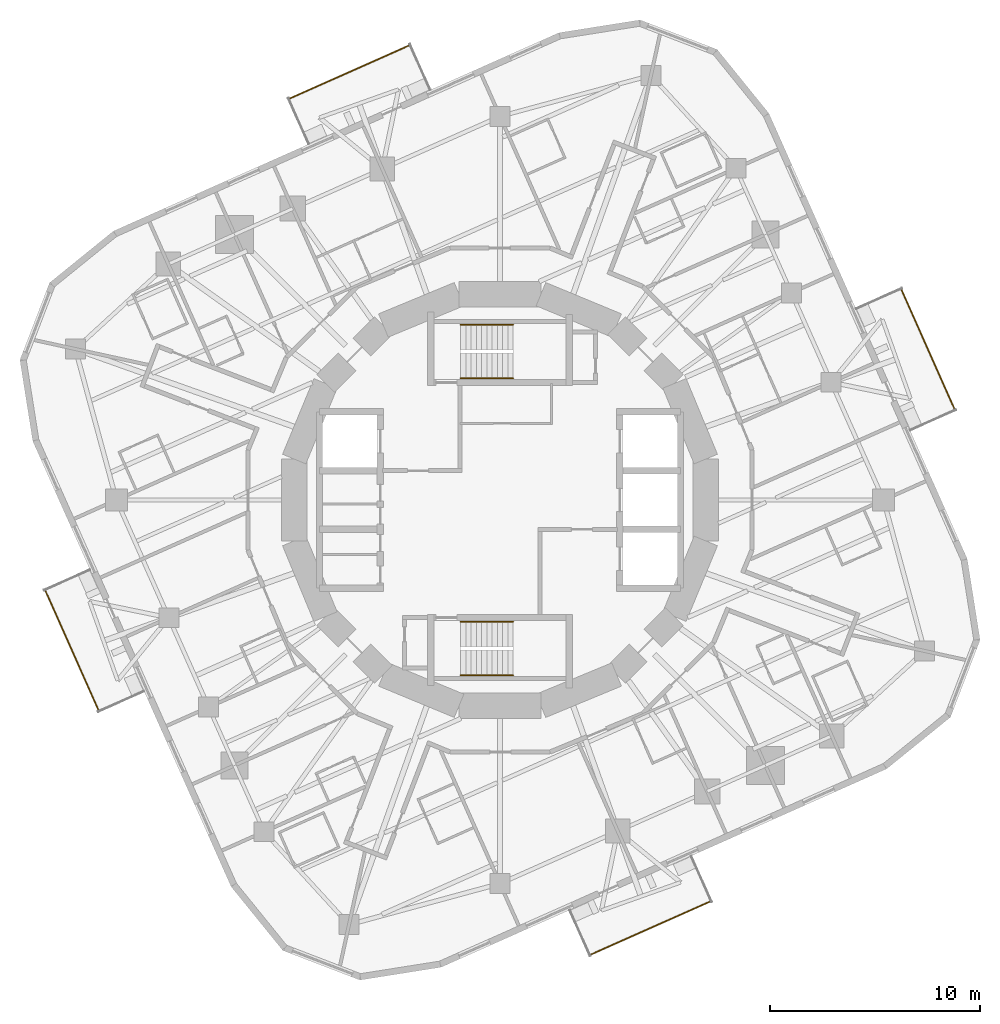
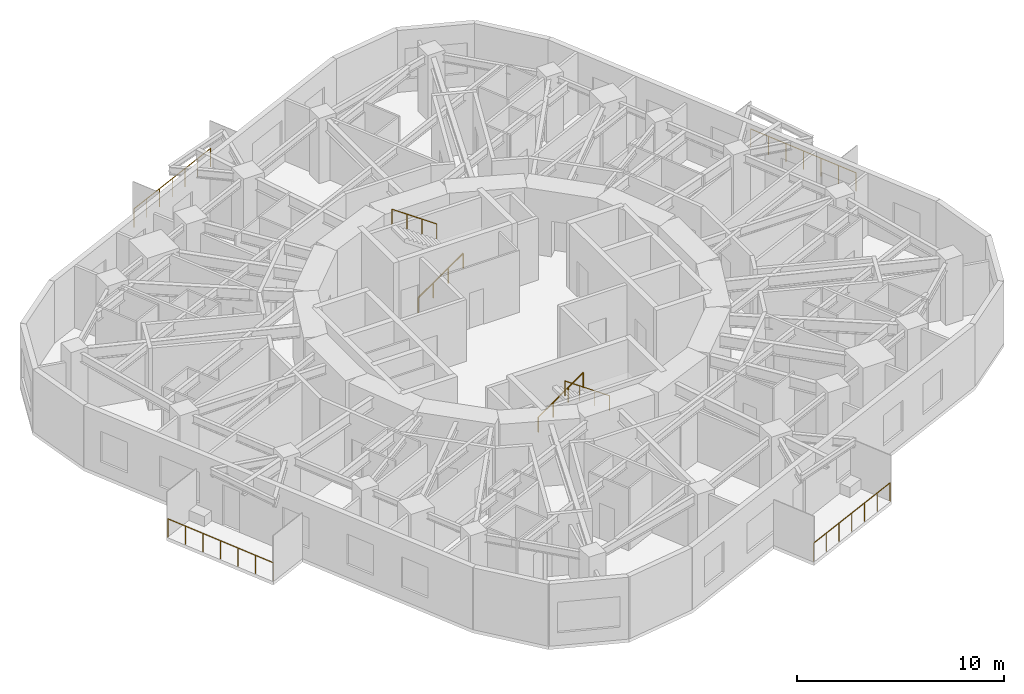
# One storey, part 11 of 12: 8 railings.
"""IFC4 building model written with IfcOpenShell, lengths in metres."""

import ifcopenshell
import ifcopenshell.guid

model = None  # the IFC model being written
_history = None  # IfcOwnerHistory: only IFC2X3 demands one
_inside = {}  # id of a spatial element -> (the spatial element, [elements in it])
_under = {}  # id of a project, library or spatial element -> (it, [spatial elements below it])
_declared = {}  # id of a project -> (the project, [libraries it declares])
_typed = {}  # id of a type object -> (the type object, [elements of that type])
_made_of = {}  # id of a material, layer set ... -> (it, [elements and type objects made of it])


def new_model(schema):
    """Start an empty IFC model of exactly this schema.

    Asked for "IFC4X3", IfcOpenShell would pick the latest addendum, in which some entities
    have other attributes; the version numbers below select the first issue.
    IFC2X3 requires an IfcOwnerHistory on every rooted entity: one is made here for all.
    """
    global model, _history
    if schema == "IFC4X3":
        model = ifcopenshell.file(schema_version=(4, 3, 0, 0))
    else:
        model = ifcopenshell.file(schema=schema)
    _inside.clear()
    _under.clear()
    _declared.clear()
    _typed.clear()
    _made_of.clear()
    _history = None
    if model.schema == "IFC2X3":
        org = make("IfcOrganization", Name="unknown")
        user = make(
            "IfcPersonAndOrganization",
            ThePerson=make("IfcPerson", FamilyName="unknown"),
            TheOrganization=org,
        )
        app = make(
            "IfcApplication",
            ApplicationDeveloper=org,
            Version="unknown",
            ApplicationFullName="unknown",
            ApplicationIdentifier="unknown",
        )
        _history = make(
            "IfcOwnerHistory",
            OwningUser=user,
            OwningApplication=app,
            ChangeAction="ADDED",
            CreationDate=0,
        )
    return model


def make(cls, **values):
    """One entity of the class cls with the attributes given. An attribute that is None is left unset."""
    return model.create_entity(
        cls, **{name: value for name, value in values.items() if value is not None}
    )


def rooted(cls, **values):
    """An entity with a GlobalId (a new one), such as an element, a storey or a relation."""
    return make(cls, GlobalId=ifcopenshell.guid.new(), OwnerHistory=_history, **values)


def si_unit(unit_type, name, prefix=None):
    """IfcSIUnit, for example si_unit("LENGTHUNIT", "METRE", prefix="MILLI")."""
    return make("IfcSIUnit", UnitType=unit_type, Prefix=prefix, Name=name)


def assignment(units):
    """IfcUnitAssignment: the units of a project."""
    return None if units is None else make("IfcUnitAssignment", Units=units)


def point(xyz):
    """IfcCartesianPoint."""
    return None if xyz is None else make("IfcCartesianPoint", Coordinates=xyz)


def direction(xyz):
    """IfcDirection."""
    return None if xyz is None else make("IfcDirection", DirectionRatios=xyz)


def frame(location, z_axis=None, x_axis=None):
    """IfcAxis2Placement3D, a coordinate frame: its origin and axes. An axis left out is left unset."""
    return make(
        "IfcAxis2Placement3D",
        Location=point(location),
        Axis=direction(z_axis),
        RefDirection=direction(x_axis),
    )


def frame_2d(location, x_axis=None):
    """IfcAxis2Placement2D, a coordinate frame in the plane: its origin and x axis."""
    return make(
        "IfcAxis2Placement2D", Location=point(location), RefDirection=direction(x_axis)
    )


def origin():
    """The frame at (0, 0, 0) with its axes left unset."""
    return frame((0.0, 0.0, 0.0))


def origin_2d():
    """The frame at (0, 0) in the plane with its x axis left unset."""
    return frame_2d((0.0, 0.0))


def place(relative_to, where):
    """IfcLocalPlacement: puts the frame where relative to a parent placement (None: the world)."""
    return make(
        "IfcLocalPlacement", PlacementRelTo=relative_to, RelativePlacement=where
    )


def context(
    kind, dimensions, precision=None, world=None, true_north=None, identifier=None
):
    """IfcGeometricRepresentationContext, for example the 3D "Model" context."""
    return make(
        "IfcGeometricRepresentationContext",
        ContextIdentifier=identifier,
        ContextType=kind,
        CoordinateSpaceDimension=dimensions,
        Precision=precision,
        WorldCoordinateSystem=world,
        TrueNorth=true_north,
    )


def subcontext(parent, identifier, kind, view, scale=None):
    """IfcGeometricRepresentationSubContext, for example "Body" below "Model"."""
    return make(
        "IfcGeometricRepresentationSubContext",
        ContextIdentifier=identifier,
        ContextType=kind,
        ParentContext=parent,
        TargetScale=scale,
        TargetView=view,
    )


def project(units=None, contexts=None):
    """IfcProject with its units and contexts."""
    return rooted(
        "IfcProject",
        Name="project",
        RepresentationContexts=contexts,
        UnitsInContext=assignment(units),
    )


def spatial(cls, under=None, at=None, **own):
    """A site, building, storey or space (cls), placed at a placement, below another one or the project."""
    s = rooted(cls, ObjectPlacement=at, **own)
    if under is not None:
        _under.setdefault(under.id(), (under, []))[1].append(s)
    return s


def profile(cls, at=None, kind="AREA", **sizes):
    """A parametric profile (cls). Its sizes go by their IFC names, for example OverallWidth=200.0."""
    return make(cls, ProfileType=kind, Position=at, **sizes)


def circle(**sizes):
    """IfcCircleProfileDef."""
    return profile("IfcCircleProfileDef", **sizes)


def extrude(swept, where, along, depth):
    """IfcExtrudedAreaSolid: the profile swept, set in the frame where, extruded along a direction by depth."""
    return make(
        "IfcExtrudedAreaSolid",
        SweptArea=swept,
        Position=where,
        ExtrudedDirection=direction(along),
        Depth=depth,
    )


def shape(context_of_items, identifier, shape_type, items):
    """IfcShapeRepresentation: the items that make up one representation, for example the "Body"."""
    return make(
        "IfcShapeRepresentation",
        ContextOfItems=context_of_items,
        RepresentationIdentifier=identifier,
        RepresentationType=shape_type,
        Items=items,
    )


def material(Name=None, Category=None):
    """IfcMaterial."""
    return make("IfcMaterial", Name=Name, Category=Category)


def made_of(thing, what):
    """Note that an element or type object is made of a material, layer set ...; save() writes the relation."""
    if what is not None:
        _made_of.setdefault(what.id(), (what, []))[1].append(thing)
    return thing


def type_object(cls, material=None, **own):
    """A type object (cls), such as IfcWallType, which elements share."""
    return made_of(rooted(cls, **own), material)


def element(
    cls,
    number,
    at=None,
    inside=None,
    cuts=None,
    type_object=None,
    material=None,
    context=None,
    identifier="Body",
    shape_type=None,
    held_by="IfcProductDefinitionShape",
    body=None,
    shapes=None,
    **own,
):
    """One element of the class cls, such as IfcWall. Its Tag is "e" and its number.

    at: its placement. inside: the storey or other place that contains it. cuts: it is an
    opening in that element (IfcRelVoidsElement). A single representation is given by context,
    identifier, shape_type and body (its items); several are given by shapes. held_by: the class
    of the entity that holds the representations. save() writes the other relations.
    """
    e = rooted(cls, Tag="e%d" % number, ObjectPlacement=at, **own)
    if body is not None:
        shapes = [shape(context, identifier, shape_type, body)]
    if shapes is not None:
        e.Representation = make(held_by, Representations=shapes)
    if inside is not None:
        _inside.setdefault(inside.id(), (inside, []))[1].append(e)
    if cuts is not None:
        rooted(
            "IfcRelVoidsElement", RelatingBuildingElement=cuts, RelatedOpeningElement=e
        )
    if type_object is not None:
        _typed.setdefault(type_object.id(), (type_object, []))[1].append(e)
    return made_of(e, material)


def aggregate(whole, parts):
    """IfcRelAggregates: a whole, such as a stair, and the parts it consists of."""
    return rooted("IfcRelAggregates", RelatingObject=whole, RelatedObjects=parts)


def save(model, path):
    """Write the relations noted so far, then the file.

    IfcRelAggregates (storeys below a building ...), IfcRelContainedInSpatialStructure (elements
    in a storey), IfcRelDefinesByType, IfcRelAssociatesMaterial and IfcRelDeclares: one each for
    every whole, place, type object, material and project.
    """
    for whole, parts in _under.values():
        aggregate(whole, parts)
    for where, things in _inside.values():
        rooted(
            "IfcRelContainedInSpatialStructure",
            RelatedElements=things,
            RelatingStructure=where,
        )
    for kind, things in _typed.values():
        rooted("IfcRelDefinesByType", RelatedObjects=things, RelatingType=kind)
    for what, things in _made_of.values():
        rooted("IfcRelAssociatesMaterial", RelatedObjects=things, RelatingMaterial=what)
    for by, libraries in _declared.values():
        rooted("IfcRelDeclares", RelatingContext=by, RelatedDefinitions=libraries)
    model.write(path)


model = new_model("IFC4")

# Units and contexts
model_context = context("Model", 3, precision=1e-05, world=origin(), true_north=direction((0.0, 1.0)))
body_context = subcontext(model_context, "Body", "Model", "MODEL_VIEW")
ifc_project = project(units=[si_unit("LENGTHUNIT", "METRE"), si_unit("AREAUNIT", "SQUARE_METRE"), si_unit("VOLUMEUNIT", "CUBIC_METRE"), si_unit("PLANEANGLEUNIT", "RADIAN"), si_unit("MASSUNIT", "GRAM", prefix="KILO")], contexts=[model_context])

# Site, building, storey
site_placement = place(None, origin())
site = spatial("IfcSite", under=ifc_project, at=site_placement, CompositionType="ELEMENT")
building_placement = place(site_placement, origin())
building = spatial("IfcBuilding", under=site, at=building_placement, Name="Nakasero Lantern House", CompositionType="ELEMENT")
storey_placement = place(building_placement, frame((0.0, 0.0, 197.85009765625)))
storey = spatial("IfcBuildingStorey", under=building, at=storey_placement, Name="L48", CompositionType="ELEMENT", Elevation=197.85009765625)

# Railings
ifc_material_1 = material(Name="Aluminium 6063-T6", Category="aluminium")
railing_type_1 = type_object("IfcRailingType", Name="Balcony guard 1100", PredefinedType="BALUSTRADE", material=ifc_material_1)
railing_1_placement = place(storey_placement, frame((21.67529296875, 4.29931640625, 0.0)))
element("IfcRailing", 1, at=railing_1_placement, inside=storey, type_object=railing_type_1, Name="Balcony guard L48 BAL0", PredefinedType="BALUSTRADE", context=body_context, shape_type="SweptSolid", body=[
    extrude(circle(Radius=0.02392578125, at=origin_2d()), frame((0.0, 0.0, 1.076171875), z_axis=(-0.40676486805, 0.913532890552, 0.0), x_axis=(-0.913532890552, -0.40676486805, 0.0)), (0.0, 0.0, 1.0), 6.291259765625),
    extrude(circle(Radius=0.02099609375, at=origin_2d()), origin(), (0.0, 0.0, 1.0), 1.052001953125),
    extrude(circle(Radius=0.02099609375, at=origin_2d()), frame((-0.426513671875, 0.9580078125, 0.0)), (0.0, 0.0, 1.0), 1.052001953125),
    extrude(circle(Radius=0.02099609375, at=origin_2d()), frame((-0.85302734375, 1.915771484375, 0.0)), (0.0, 0.0, 1.0), 1.052001953125),
    extrude(circle(Radius=0.02099609375, at=origin_2d()), frame((-1.279541015625, 2.87353515625, 0.0)), (0.0, 0.0, 1.0), 1.052001953125),
    extrude(circle(Radius=0.02099609375, at=origin_2d()), frame((-1.7060546875, 3.83154296875, 0.0)), (0.0, 0.0, 1.0), 1.052001953125),
    extrude(circle(Radius=0.02099609375, at=origin_2d()), frame((-2.132568359375, 4.78955078125, 0.0)), (0.0, 0.0, 1.0), 1.052001953125),
    extrude(circle(Radius=0.02099609375, at=origin_2d()), frame((-2.55908203125, 5.747314453125, 0.0)), (0.0, 0.0, 1.0), 1.052001953125),
])
railing_2_placement = place(storey_placement, frame((-4.29931640625, 21.67529296875, 0.0)))
element("IfcRailing", 2, at=railing_2_placement, inside=storey, type_object=railing_type_1, Name="Balcony guard L48 BAL1", PredefinedType="BALUSTRADE", context=body_context, shape_type="SweptSolid", body=[
    extrude(circle(Radius=0.02392578125, at=origin_2d()), frame((0.0, 0.0, 1.076171875), z_axis=(-0.913532890552, -0.40676486805, 0.0), x_axis=(0.40676486805, -0.913532890552, 0.0)), (0.0, 0.0, 1.0), 6.291259765625),
    extrude(circle(Radius=0.02099609375, at=origin_2d()), origin(), (0.0, 0.0, 1.0), 1.052001953125),
    extrude(circle(Radius=0.02099609375, at=origin_2d()), frame((-0.9580078125, -0.426513671875, 0.0)), (0.0, 0.0, 1.0), 1.052001953125),
    extrude(circle(Radius=0.02099609375, at=origin_2d()), frame((-1.915771484375, -0.85302734375, 0.0)), (0.0, 0.0, 1.0), 1.052001953125),
    extrude(circle(Radius=0.02099609375, at=origin_2d()), frame((-2.87353515625, -1.279541015625, 0.0)), (0.0, 0.0, 1.0), 1.052001953125),
    extrude(circle(Radius=0.02099609375, at=origin_2d()), frame((-3.83154296875, -1.7060546875, 0.0)), (0.0, 0.0, 1.0), 1.052001953125),
    extrude(circle(Radius=0.02099609375, at=origin_2d()), frame((-4.78955078125, -2.132568359375, 0.0)), (0.0, 0.0, 1.0), 1.052001953125),
    extrude(circle(Radius=0.02099609375, at=origin_2d()), frame((-5.747314453125, -2.55908203125, 0.0)), (0.0, 0.0, 1.0), 1.052001953125),
])
railing_3_placement = place(storey_placement, frame((-21.67529296875, -4.29931640625, 0.0)))
element("IfcRailing", 3, at=railing_3_placement, inside=storey, type_object=railing_type_1, Name="Balcony guard L48 BAL2", PredefinedType="BALUSTRADE", context=body_context, shape_type="SweptSolid", body=[
    extrude(circle(Radius=0.02392578125, at=origin_2d()), frame((0.0, 0.0, 1.076171875), z_axis=(0.40676486805, -0.913532890552, 0.0), x_axis=(0.913532890552, 0.40676486805, 0.0)), (0.0, 0.0, 1.0), 6.291259765625),
    extrude(circle(Radius=0.02099609375, at=origin_2d()), origin(), (0.0, 0.0, 1.0), 1.052001953125),
    extrude(circle(Radius=0.02099609375, at=origin_2d()), frame((0.426513671875, -0.9580078125, 0.0)), (0.0, 0.0, 1.0), 1.052001953125),
    extrude(circle(Radius=0.02099609375, at=origin_2d()), frame((0.85302734375, -1.915771484375, 0.0)), (0.0, 0.0, 1.0), 1.052001953125),
    extrude(circle(Radius=0.02099609375, at=origin_2d()), frame((1.279541015625, -2.87353515625, 0.0)), (0.0, 0.0, 1.0), 1.052001953125),
    extrude(circle(Radius=0.02099609375, at=origin_2d()), frame((1.7060546875, -3.83154296875, 0.0)), (0.0, 0.0, 1.0), 1.052001953125),
    extrude(circle(Radius=0.02099609375, at=origin_2d()), frame((2.132568359375, -4.78955078125, 0.0)), (0.0, 0.0, 1.0), 1.052001953125),
    extrude(circle(Radius=0.02099609375, at=origin_2d()), frame((2.55908203125, -5.747314453125, 0.0)), (0.0, 0.0, 1.0), 1.052001953125),
])
railing_4_placement = place(storey_placement, frame((4.29931640625, -21.67529296875, 0.0)))
element("IfcRailing", 4, at=railing_4_placement, inside=storey, type_object=railing_type_1, Name="Balcony guard L48 BAL3", PredefinedType="BALUSTRADE", context=body_context, shape_type="SweptSolid", body=[
    extrude(circle(Radius=0.02392578125, at=origin_2d()), frame((0.0, 0.0, 1.076171875), z_axis=(0.913532890552, 0.40676486805, 0.0), x_axis=(-0.40676486805, 0.913532890552, 0.0)), (0.0, 0.0, 1.0), 6.291259765625),
    extrude(circle(Radius=0.02099609375, at=origin_2d()), origin(), (0.0, 0.0, 1.0), 1.052001953125),
    extrude(circle(Radius=0.02099609375, at=origin_2d()), frame((0.9580078125, 0.426513671875, 0.0)), (0.0, 0.0, 1.0), 1.052001953125),
    extrude(circle(Radius=0.02099609375, at=origin_2d()), frame((1.915771484375, 0.85302734375, 0.0)), (0.0, 0.0, 1.0), 1.052001953125),
    extrude(circle(Radius=0.02099609375, at=origin_2d()), frame((2.87353515625, 1.279541015625, 0.0)), (0.0, 0.0, 1.0), 1.052001953125),
    extrude(circle(Radius=0.02099609375, at=origin_2d()), frame((3.83154296875, 1.7060546875, 0.0)), (0.0, 0.0, 1.0), 1.052001953125),
    extrude(circle(Radius=0.02099609375, at=origin_2d()), frame((4.78955078125, 2.132568359375, 0.0)), (0.0, 0.0, 1.0), 1.052001953125),
    extrude(circle(Radius=0.02099609375, at=origin_2d()), frame((5.747314453125, 2.55908203125, 0.0)), (0.0, 0.0, 1.0), 1.052001953125),
])
ifc_material_2 = material(Name="Stainless steel 316", Category="steel")
railing_type_2 = type_object("IfcRailingType", Name="Stair handrail 900", PredefinedType="HANDRAIL", material=ifc_material_2)
railing_5_placement = place(storey_placement, frame((-1.875, 5.800048828125, 0.1748046875)))
element("IfcRailing", 5, at=railing_5_placement, inside=storey, type_object=railing_type_2, Name="Handrail ST1 L48 flight 1", PredefinedType="HANDRAIL", context=body_context, shape_type="SweptSolid", body=[
    extrude(circle(Radius=0.02392578125, at=origin_2d()), frame((0.0, 0.0, 0.8759765625), z_axis=(0.819231920519, 0.0, 0.573462344363), x_axis=(0.0, 1.0, 0.0)), (0.0, 0.0, 1.0), 3.0517578125),
    extrude(circle(Radius=0.02099609375, at=origin_2d()), origin(), (0.0, 0.0, 1.0), 0.851806640625),
    extrude(circle(Radius=0.02099609375, at=origin_2d()), frame((0.833251953125, 0.0, 0.583251953125)), (0.0, 0.0, 1.0), 0.851806640625),
    extrude(circle(Radius=0.02099609375, at=origin_2d()), frame((1.666748046875, 0.0, 1.166748046875)), (0.0, 0.0, 1.0), 0.851806640625),
    extrude(circle(Radius=0.02099609375, at=origin_2d()), frame((2.5, 0.0, 1.75)), (0.0, 0.0, 1.0), 0.851806640625),
])
railing_6_placement = place(storey_placement, frame((0.625, 8.35009765625, 2.099853515625)))
element("IfcRailing", 6, at=railing_6_placement, inside=storey, type_object=railing_type_2, Name="Handrail ST1 L48 flight 2", PredefinedType="HANDRAIL", context=body_context, shape_type="SweptSolid", body=[
    extrude(circle(Radius=0.02392578125, at=origin_2d()), frame((0.0, 0.0, 0.8759765625), z_axis=(-0.819231920519, 0.0, 0.573462344363), x_axis=(0.0, -1.0, 0.0)), (0.0, 0.0, 1.0), 3.0517578125),
    extrude(circle(Radius=0.02099609375, at=origin_2d()), origin(), (0.0, 0.0, 1.0), 0.851806640625),
    extrude(circle(Radius=0.02099609375, at=origin_2d()), frame((-0.833251953125, 0.0, 0.583251953125)), (0.0, 0.0, 1.0), 0.851806640625),
    extrude(circle(Radius=0.02099609375, at=origin_2d()), frame((-1.666748046875, 0.0, 1.166748046875)), (0.0, 0.0, 1.0), 0.851806640625),
    extrude(circle(Radius=0.02099609375, at=origin_2d()), frame((-2.5, 0.0, 1.75)), (0.0, 0.0, 1.0), 0.851806640625),
])
railing_7_placement = place(storey_placement, frame((-1.875, -5.800048828125, 0.1748046875)))
element("IfcRailing", 7, at=railing_7_placement, inside=storey, type_object=railing_type_2, Name="Handrail ST2 L48 flight 1", PredefinedType="HANDRAIL", context=body_context, shape_type="SweptSolid", body=[
    extrude(circle(Radius=0.02392578125, at=origin_2d()), frame((0.0, 0.0, 0.8759765625), z_axis=(0.819231920519, 0.0, 0.573462344363), x_axis=(0.0, 1.0, 0.0)), (0.0, 0.0, 1.0), 3.0517578125),
    extrude(circle(Radius=0.02099609375, at=origin_2d()), origin(), (0.0, 0.0, 1.0), 0.851806640625),
    extrude(circle(Radius=0.02099609375, at=origin_2d()), frame((0.833251953125, 0.0, 0.583251953125)), (0.0, 0.0, 1.0), 0.851806640625),
    extrude(circle(Radius=0.02099609375, at=origin_2d()), frame((1.666748046875, 0.0, 1.166748046875)), (0.0, 0.0, 1.0), 0.851806640625),
    extrude(circle(Radius=0.02099609375, at=origin_2d()), frame((2.5, 0.0, 1.75)), (0.0, 0.0, 1.0), 0.851806640625),
])
railing_8_placement = place(storey_placement, frame((0.625, -8.35009765625, 2.099853515625)))
element("IfcRailing", 8, at=railing_8_placement, inside=storey, type_object=railing_type_2, Name="Handrail ST2 L48 flight 2", PredefinedType="HANDRAIL", context=body_context, shape_type="SweptSolid", body=[
    extrude(circle(Radius=0.02392578125, at=origin_2d()), frame((0.0, 0.0, 0.8759765625), z_axis=(-0.819231920519, 0.0, 0.573462344363), x_axis=(0.0, -1.0, 0.0)), (0.0, 0.0, 1.0), 3.0517578125),
    extrude(circle(Radius=0.02099609375, at=origin_2d()), origin(), (0.0, 0.0, 1.0), 0.851806640625),
    extrude(circle(Radius=0.02099609375, at=origin_2d()), frame((-0.833251953125, 0.0, 0.583251953125)), (0.0, 0.0, 1.0), 0.851806640625),
    extrude(circle(Radius=0.02099609375, at=origin_2d()), frame((-1.666748046875, 0.0, 1.166748046875)), (0.0, 0.0, 1.0), 0.851806640625),
    extrude(circle(Radius=0.02099609375, at=origin_2d()), frame((-2.5, 0.0, 1.75)), (0.0, 0.0, 1.0), 0.851806640625),
])

save(model, "model.ifc")
